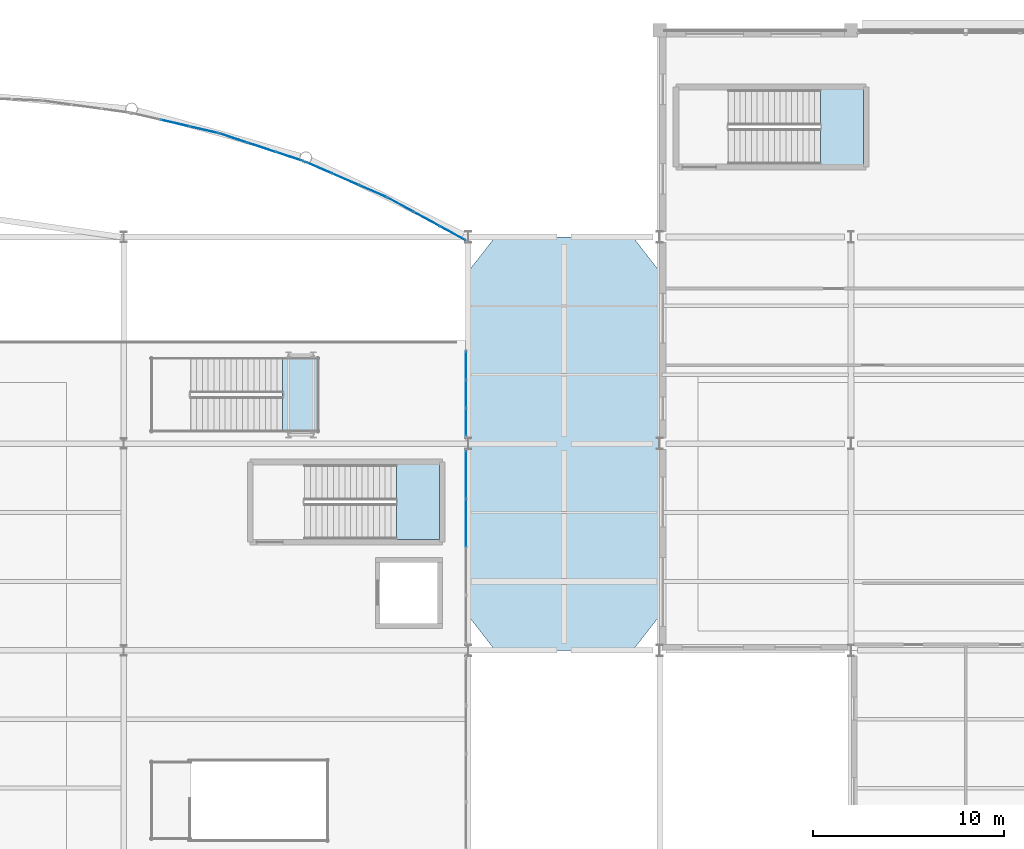
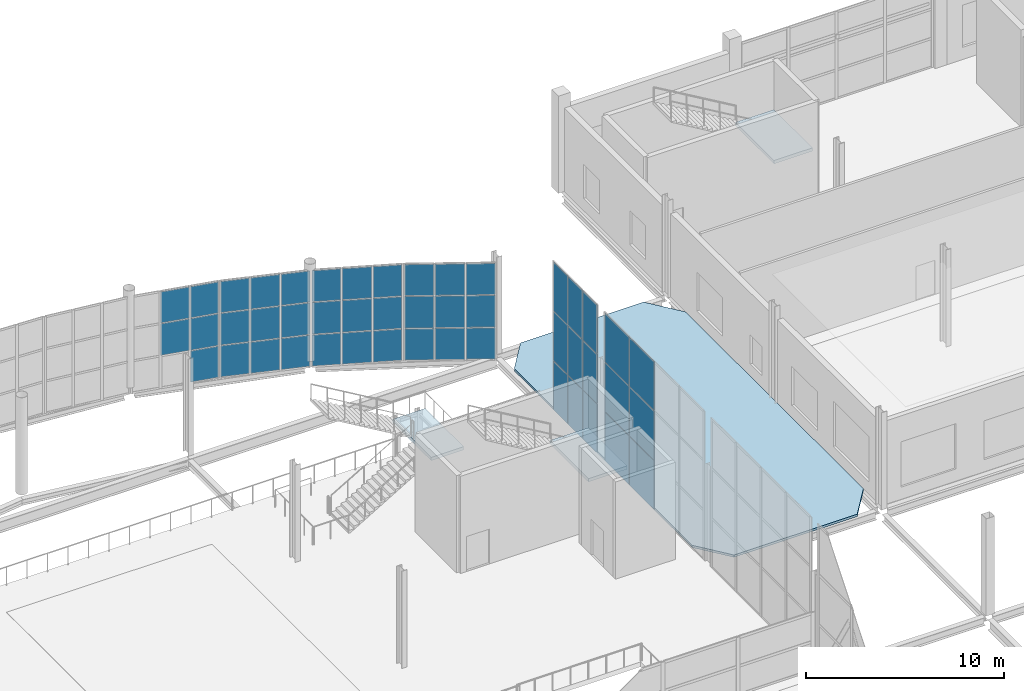
# One storey, part 156 of 191: 47 plates, 4 slabs, 9 elements without a shape of their own.
"""IFC4 building model written with IfcOpenShell, lengths in metres."""

from ifc_helpers import new_model, si_unit, direction, frame, origin, origin_2d, place, context, subcontext, project, spatial, polyline, rectangle, outline, extrude, material, layer, layer_set, type_object, element, aggregate, save


model = new_model("IFC4")

# Units and contexts
model_context = context("Model", 3, precision=1e-05, world=origin(), true_north=direction((0.0, 1.0)))
body_context = subcontext(model_context, "Body", "Model", "MODEL_VIEW")
ifc_project = project(units=[si_unit("LENGTHUNIT", "METRE"), si_unit("AREAUNIT", "SQUARE_METRE"), si_unit("VOLUMEUNIT", "CUBIC_METRE"), si_unit("PLANEANGLEUNIT", "RADIAN"), si_unit("MASSUNIT", "GRAM", prefix="KILO")], contexts=[model_context])

# Site, building, storey
site_placement = place(None, origin())
site = spatial("IfcSite", under=ifc_project, at=site_placement, CompositionType="ELEMENT")
building_placement = place(site_placement, origin())
building = spatial("IfcBuilding", under=site, at=building_placement, Name="Tamarisk Ironworks Central Station", CompositionType="ELEMENT")
storey_placement = place(building_placement, frame((0.0, 0.0, 6.60009765625)))
storey = spatial("IfcBuildingStorey", under=building, at=storey_placement, Name="L01", CompositionType="ELEMENT", Elevation=6.60009765625)

# Curtain wall, plates
ifc_material_1 = material(Name="Anodized aluminium alloy 6063-T6", Category="aluminium")
ifc_layer_1 = layer(ifc_material_1, 0.179931640625)
ifc_layer_set_1 = layer_set([ifc_layer_1], Name="Anodized aluminium alloy 6063-T6")
curtain_wall_type_1 = type_object("IfcCurtainWallType", Name="CW-08", PredefinedType="USERDEFINED", material=ifc_layer_set_1)
curtain_wall_1_placement = place(storey_placement, origin())
curtain_wall_1 = element("IfcCurtainWall", 1, at=curtain_wall_1_placement, inside=storey, type_object=curtain_wall_type_1, Name="Concourse E track-overlook curtain wall 07", ObjectType="GLAZED CURTAIN WALL", PredefinedType="USERDEFINED")
ifc_layer_2 = layer(ifc_material_1, 0.02392578125)
ifc_layer_set_2 = layer_set([ifc_layer_2], Name="Anodized aluminium alloy 6063-T6")
plate_type_1 = type_object("IfcPlateType", Name="PL-CWP24", PredefinedType="CURTAIN_PANEL", material=ifc_layer_set_2)
plate_1_placement = place(storey_placement, frame((107.8798828125, 96.66259765625, 0.0537109375), z_axis=(0.0, 0.0, 1.0), x_axis=(0.0, 1.0, 0.0)))
plate_1 = element("IfcPlate", 2, at=plate_1_placement, type_object=plate_type_1, Name="CW08 panel 3.1", PredefinedType="CURTAIN_PANEL", context=body_context, shape_type="SweptSolid", body=[
    extrude(rectangle(XDim=2.47705078125, YDim=0.02392578125, at=origin_2d()), origin(), (0.0, 0.0, 1.0), 2.995361328125),
])
plate_2_placement = place(storey_placement, frame((107.8798828125, 96.66259765625, 3.09716796875), z_axis=(0.0, 0.0, 1.0), x_axis=(0.0, 1.0, 0.0)))
plate_2 = element("IfcPlate", 3, at=plate_2_placement, type_object=plate_type_1, Name="CW08 panel 3.2", PredefinedType="CURTAIN_PANEL", context=body_context, shape_type="SweptSolid", body=[
    extrude(rectangle(XDim=2.47705078125, YDim=0.02392578125, at=origin_2d()), origin(), (0.0, 0.0, 1.0), 3.025390625),
])
plate_3_placement = place(storey_placement, frame((107.8798828125, 96.66259765625, 6.17041015625), z_axis=(0.0, 0.0, 1.0), x_axis=(0.0, 1.0, 0.0)))
plate_3 = element("IfcPlate", 4, at=plate_3_placement, type_object=plate_type_1, Name="CW08 panel 3.3", PredefinedType="CURTAIN_PANEL", context=body_context, shape_type="SweptSolid", body=[
    extrude(rectangle(XDim=2.47705078125, YDim=0.02392578125, at=origin_2d()), origin(), (0.0, 0.0, 1.0), 2.995361328125),
])
plate_4_placement = place(storey_placement, frame((107.8798828125, 99.172607421875, 0.0537109375), z_axis=(0.0, 0.0, 1.0), x_axis=(0.0, 1.0, 0.0)))
plate_4 = element("IfcPlate", 5, at=plate_4_placement, type_object=plate_type_1, Name="CW08 panel 4.1", PredefinedType="CURTAIN_PANEL", context=body_context, shape_type="SweptSolid", body=[
    extrude(rectangle(XDim=2.447021484375, YDim=0.02392578125, at=origin_2d()), origin(), (0.0, 0.0, 1.0), 2.995361328125),
])
plate_5_placement = place(storey_placement, frame((107.8798828125, 99.172607421875, 3.09716796875), z_axis=(0.0, 0.0, 1.0), x_axis=(0.0, 1.0, 0.0)))
plate_5 = element("IfcPlate", 6, at=plate_5_placement, type_object=plate_type_1, Name="CW08 panel 4.2", PredefinedType="CURTAIN_PANEL", context=body_context, shape_type="SweptSolid", body=[
    extrude(rectangle(XDim=2.447021484375, YDim=0.02392578125, at=origin_2d()), origin(), (0.0, 0.0, 1.0), 3.025390625),
])
plate_6_placement = place(storey_placement, frame((107.8798828125, 99.172607421875, 6.17041015625), z_axis=(0.0, 0.0, 1.0), x_axis=(0.0, 1.0, 0.0)))
plate_6 = element("IfcPlate", 7, at=plate_6_placement, type_object=plate_type_1, Name="CW08 panel 4.3", PredefinedType="CURTAIN_PANEL", context=body_context, shape_type="SweptSolid", body=[
    extrude(rectangle(XDim=2.447021484375, YDim=0.02392578125, at=origin_2d()), origin(), (0.0, 0.0, 1.0), 2.995361328125),
])
aggregate(curtain_wall_1, [plate_1, plate_2, plate_3, plate_4, plate_5, plate_6])

ifc_layer_3 = layer(ifc_material_1, 0.179931640625)
ifc_layer_set_3 = layer_set([ifc_layer_3], Name="Anodized aluminium alloy 6063-T6")
curtain_wall_type_2 = type_object("IfcCurtainWallType", Name="CW-02", PredefinedType="USERDEFINED", material=ifc_layer_set_3)
curtain_wall_2_placement = place(storey_placement, origin())
curtain_wall_2 = element("IfcCurtainWall", 8, at=curtain_wall_2_placement, inside=storey, type_object=curtain_wall_type_2, Name="NN rounded entrance hall L01 curtain wall bay 09", ObjectType="GLAZED CURTAIN WALL", PredefinedType="USERDEFINED")
ifc_material_2 = material(Name="Laminated solar-control low-E glass", Category="glass")
ifc_layer_4 = layer(ifc_material_2, 0.028076171875)
ifc_layer_set_4 = layer_set([ifc_layer_4], Name="Laminated solar-control low-E glass")
plate_type_2 = type_object("IfcPlateType", Name="PL-CWP28", PredefinedType="CURTAIN_PANEL", material=ifc_layer_set_4)
plate_7_placement = place(storey_placement, frame((92.664794921875, 117.552978515625, 1.640625), z_axis=(0.0, 0.0, 1.0), x_axis=(0.974239240545, -0.225516966506, 0.0)))
plate_7 = element("IfcPlate", 9, at=plate_7_placement, type_object=plate_type_2, Name="CW02 panel 2.2", PredefinedType="CURTAIN_PANEL", context=body_context, shape_type="SweptSolid", body=[
    extrude(rectangle(XDim=1.52197265625, YDim=0.028076171875, at=origin_2d()), origin(), (0.0, 0.0, 1.0), 1.95361328125),
])
plate_8_placement = place(storey_placement, frame((92.664794921875, 117.552978515625, 3.64208984375), z_axis=(0.0, 0.0, 1.0), x_axis=(0.974239240545, -0.225516966506, 0.0)))
plate_8 = element("IfcPlate", 10, at=plate_8_placement, type_object=plate_type_2, Name="CW02 panel 2.3", PredefinedType="CURTAIN_PANEL", context=body_context, shape_type="SweptSolid", body=[
    extrude(rectangle(XDim=1.52197265625, YDim=0.028076171875, at=origin_2d()), origin(), (0.0, 0.0, 1.0), 1.923583984375),
])
plate_9_placement = place(storey_placement, frame((94.1796875, 117.202392578125, -0.3310546875), z_axis=(0.0, 0.0, 1.0), x_axis=(0.974239240545, -0.225516966506, 0.0)))
plate_9 = element("IfcPlate", 11, at=plate_9_placement, type_object=plate_type_2, Name="CW02 panel 3.1", PredefinedType="CURTAIN_PANEL", context=body_context, shape_type="SweptSolid", body=[
    extrude(rectangle(XDim=1.491943359375, YDim=0.028076171875, at=origin_2d()), origin(), (0.0, 0.0, 1.0), 1.923583984375),
])
plate_10_placement = place(storey_placement, frame((94.1796875, 117.202392578125, 1.640625), z_axis=(0.0, 0.0, 1.0), x_axis=(0.974239240545, -0.225516966506, 0.0)))
plate_10 = element("IfcPlate", 12, at=plate_10_placement, type_object=plate_type_2, Name="CW02 panel 3.2", PredefinedType="CURTAIN_PANEL", context=body_context, shape_type="SweptSolid", body=[
    extrude(rectangle(XDim=1.491943359375, YDim=0.028076171875, at=origin_2d()), origin(), (0.0, 0.0, 1.0), 1.95361328125),
])
plate_11_placement = place(storey_placement, frame((94.1796875, 117.202392578125, 3.64208984375), z_axis=(0.0, 0.0, 1.0), x_axis=(0.974239240545, -0.225516966506, 0.0)))
plate_11 = element("IfcPlate", 13, at=plate_11_placement, type_object=plate_type_2, Name="CW02 panel 3.3", PredefinedType="CURTAIN_PANEL", context=body_context, shape_type="SweptSolid", body=[
    extrude(rectangle(XDim=1.491943359375, YDim=0.028076171875, at=origin_2d()), origin(), (0.0, 0.0, 1.0), 1.923583984375),
])
aggregate(curtain_wall_2, [plate_7, plate_8, plate_9, plate_10, plate_11])

curtain_wall_3_placement = place(storey_placement, origin())
curtain_wall_3 = element("IfcCurtainWall", 14, at=curtain_wall_3_placement, inside=storey, type_object=curtain_wall_type_2, Name="NN rounded entrance hall L01 curtain wall bay 10", ObjectType="GLAZED CURTAIN WALL", PredefinedType="USERDEFINED")
plate_12_placement = place(storey_placement, frame((95.71875, 116.771484375, -0.3310546875), z_axis=(0.0, 0.0, 1.0), x_axis=(0.949720671692, -0.313098460171, 0.0)))
plate_12 = element("IfcPlate", 15, at=plate_12_placement, type_object=plate_type_2, Name="CW02 panel 1.1", PredefinedType="CURTAIN_PANEL", context=body_context, shape_type="SweptSolid", body=[
    extrude(rectangle(XDim=1.491943359375, YDim=0.028076171875, at=origin_2d()), origin(), (0.0, 0.0, 1.0), 1.923583984375),
])
plate_13_placement = place(storey_placement, frame((95.71875, 116.771484375, 1.640625), z_axis=(0.0, 0.0, 1.0), x_axis=(0.949720671692, -0.313098460171, 0.0)))
plate_13 = element("IfcPlate", 16, at=plate_13_placement, type_object=plate_type_2, Name="CW02 panel 1.2", PredefinedType="CURTAIN_PANEL", context=body_context, shape_type="SweptSolid", body=[
    extrude(rectangle(XDim=1.491943359375, YDim=0.028076171875, at=origin_2d()), origin(), (0.0, 0.0, 1.0), 1.95361328125),
])
plate_14_placement = place(storey_placement, frame((95.71875, 116.771484375, 3.64208984375), z_axis=(0.0, 0.0, 1.0), x_axis=(0.949720671692, -0.313098460171, 0.0)))
plate_14 = element("IfcPlate", 17, at=plate_14_placement, type_object=plate_type_2, Name="CW02 panel 1.3", PredefinedType="CURTAIN_PANEL", context=body_context, shape_type="SweptSolid", body=[
    extrude(rectangle(XDim=1.491943359375, YDim=0.028076171875, at=origin_2d()), origin(), (0.0, 0.0, 1.0), 1.923583984375),
])
plate_15_placement = place(storey_placement, frame((97.1953125, 116.28466796875, -0.3310546875), z_axis=(0.0, 0.0, 1.0), x_axis=(0.949720671692, -0.313098460171, 0.0)))
plate_15 = element("IfcPlate", 18, at=plate_15_placement, type_object=plate_type_2, Name="CW02 panel 2.1", PredefinedType="CURTAIN_PANEL", context=body_context, shape_type="SweptSolid", body=[
    extrude(rectangle(XDim=1.52197265625, YDim=0.028076171875, at=origin_2d()), origin(), (0.0, 0.0, 1.0), 1.923583984375),
])
plate_16_placement = place(storey_placement, frame((97.1953125, 116.28466796875, 1.640625), z_axis=(0.0, 0.0, 1.0), x_axis=(0.949720671692, -0.313098460171, 0.0)))
plate_16 = element("IfcPlate", 19, at=plate_16_placement, type_object=plate_type_2, Name="CW02 panel 2.2", PredefinedType="CURTAIN_PANEL", context=body_context, shape_type="SweptSolid", body=[
    extrude(rectangle(XDim=1.52197265625, YDim=0.028076171875, at=origin_2d()), origin(), (0.0, 0.0, 1.0), 1.95361328125),
])
plate_17_placement = place(storey_placement, frame((97.1953125, 116.28466796875, 3.64208984375), z_axis=(0.0, 0.0, 1.0), x_axis=(0.949720671692, -0.313098460171, 0.0)))
plate_17 = element("IfcPlate", 20, at=plate_17_placement, type_object=plate_type_2, Name="CW02 panel 2.3", PredefinedType="CURTAIN_PANEL", context=body_context, shape_type="SweptSolid", body=[
    extrude(rectangle(XDim=1.52197265625, YDim=0.028076171875, at=origin_2d()), origin(), (0.0, 0.0, 1.0), 1.923583984375),
])
plate_18_placement = place(storey_placement, frame((98.672119140625, 115.7978515625, -0.3310546875), z_axis=(0.0, 0.0, 1.0), x_axis=(0.949720671692, -0.313098460171, 0.0)))
plate_18 = element("IfcPlate", 21, at=plate_18_placement, type_object=plate_type_2, Name="CW02 panel 3.1", PredefinedType="CURTAIN_PANEL", context=body_context, shape_type="SweptSolid", body=[
    extrude(rectangle(XDim=1.491943359375, YDim=0.028076171875, at=origin_2d()), origin(), (0.0, 0.0, 1.0), 1.923583984375),
])
plate_19_placement = place(storey_placement, frame((98.672119140625, 115.7978515625, 1.640625), z_axis=(0.0, 0.0, 1.0), x_axis=(0.949720671692, -0.313098460171, 0.0)))
plate_19 = element("IfcPlate", 22, at=plate_19_placement, type_object=plate_type_2, Name="CW02 panel 3.2", PredefinedType="CURTAIN_PANEL", context=body_context, shape_type="SweptSolid", body=[
    extrude(rectangle(XDim=1.491943359375, YDim=0.028076171875, at=origin_2d()), origin(), (0.0, 0.0, 1.0), 1.95361328125),
])
plate_20_placement = place(storey_placement, frame((98.672119140625, 115.7978515625, 3.64208984375), z_axis=(0.0, 0.0, 1.0), x_axis=(0.949720671692, -0.313098460171, 0.0)))
plate_20 = element("IfcPlate", 23, at=plate_20_placement, type_object=plate_type_2, Name="CW02 panel 3.3", PredefinedType="CURTAIN_PANEL", context=body_context, shape_type="SweptSolid", body=[
    extrude(rectangle(XDim=1.491943359375, YDim=0.028076171875, at=origin_2d()), origin(), (0.0, 0.0, 1.0), 1.923583984375),
])
aggregate(curtain_wall_3, [plate_12, plate_13, plate_14, plate_15, plate_16, plate_17, plate_18, plate_19, plate_20])

curtain_wall_4_placement = place(storey_placement, origin())
curtain_wall_4 = element("IfcCurtainWall", 24, at=curtain_wall_4_placement, inside=storey, type_object=curtain_wall_type_2, Name="NN rounded entrance hall L01 curtain wall bay 11", ObjectType="GLAZED CURTAIN WALL", PredefinedType="USERDEFINED")
plate_21_placement = place(storey_placement, frame((100.16552734375, 115.22900390625, -0.3310546875), z_axis=(0.0, 0.0, 1.0), x_axis=(0.917352033503, -0.398076935564, 0.0)))
plate_21 = element("IfcPlate", 25, at=plate_21_placement, type_object=plate_type_2, Name="CW02 panel 1.1", PredefinedType="CURTAIN_PANEL", context=body_context, shape_type="SweptSolid", body=[
    extrude(rectangle(XDim=1.491943359375, YDim=0.028076171875, at=origin_2d()), origin(), (0.0, 0.0, 1.0), 1.923583984375),
])
plate_22_placement = place(storey_placement, frame((100.16552734375, 115.22900390625, 1.640625), z_axis=(0.0, 0.0, 1.0), x_axis=(0.917352033503, -0.398076935564, 0.0)))
plate_22 = element("IfcPlate", 26, at=plate_22_placement, type_object=plate_type_2, Name="CW02 panel 1.2", PredefinedType="CURTAIN_PANEL", context=body_context, shape_type="SweptSolid", body=[
    extrude(rectangle(XDim=1.491943359375, YDim=0.028076171875, at=origin_2d()), origin(), (0.0, 0.0, 1.0), 1.95361328125),
])
plate_23_placement = place(storey_placement, frame((100.16552734375, 115.22900390625, 3.64208984375), z_axis=(0.0, 0.0, 1.0), x_axis=(0.917352033503, -0.398076935564, 0.0)))
plate_23 = element("IfcPlate", 27, at=plate_23_placement, type_object=plate_type_2, Name="CW02 panel 1.3", PredefinedType="CURTAIN_PANEL", context=body_context, shape_type="SweptSolid", body=[
    extrude(rectangle(XDim=1.491943359375, YDim=0.028076171875, at=origin_2d()), origin(), (0.0, 0.0, 1.0), 1.923583984375),
])
plate_24_placement = place(storey_placement, frame((101.592041015625, 114.610107421875, -0.3310546875), z_axis=(0.0, 0.0, 1.0), x_axis=(0.917352033503, -0.398076935564, 0.0)))
plate_24 = element("IfcPlate", 28, at=plate_24_placement, type_object=plate_type_2, Name="CW02 panel 2.1", PredefinedType="CURTAIN_PANEL", context=body_context, shape_type="SweptSolid", body=[
    extrude(rectangle(XDim=1.52197265625, YDim=0.028076171875, at=origin_2d()), origin(), (0.0, 0.0, 1.0), 1.923583984375),
])
plate_25_placement = place(storey_placement, frame((101.592041015625, 114.610107421875, 1.640625), z_axis=(0.0, 0.0, 1.0), x_axis=(0.917352033503, -0.398076935564, 0.0)))
plate_25 = element("IfcPlate", 29, at=plate_25_placement, type_object=plate_type_2, Name="CW02 panel 2.2", PredefinedType="CURTAIN_PANEL", context=body_context, shape_type="SweptSolid", body=[
    extrude(rectangle(XDim=1.52197265625, YDim=0.028076171875, at=origin_2d()), origin(), (0.0, 0.0, 1.0), 1.95361328125),
])
plate_26_placement = place(storey_placement, frame((101.592041015625, 114.610107421875, 3.64208984375), z_axis=(0.0, 0.0, 1.0), x_axis=(0.917352033503, -0.398076935564, 0.0)))
plate_26 = element("IfcPlate", 30, at=plate_26_placement, type_object=plate_type_2, Name="CW02 panel 2.3", PredefinedType="CURTAIN_PANEL", context=body_context, shape_type="SweptSolid", body=[
    extrude(rectangle(XDim=1.52197265625, YDim=0.028076171875, at=origin_2d()), origin(), (0.0, 0.0, 1.0), 1.923583984375),
])
plate_27_placement = place(storey_placement, frame((103.018310546875, 113.990966796875, -0.3310546875), z_axis=(0.0, 0.0, 1.0), x_axis=(0.917352033503, -0.398076935564, 0.0)))
plate_27 = element("IfcPlate", 31, at=plate_27_placement, type_object=plate_type_2, Name="CW02 panel 3.1", PredefinedType="CURTAIN_PANEL", context=body_context, shape_type="SweptSolid", body=[
    extrude(rectangle(XDim=1.491943359375, YDim=0.028076171875, at=origin_2d()), origin(), (0.0, 0.0, 1.0), 1.923583984375),
])
plate_28_placement = place(storey_placement, frame((103.018310546875, 113.990966796875, 1.640625), z_axis=(0.0, 0.0, 1.0), x_axis=(0.917352033503, -0.398076935564, 0.0)))
plate_28 = element("IfcPlate", 32, at=plate_28_placement, type_object=plate_type_2, Name="CW02 panel 3.2", PredefinedType="CURTAIN_PANEL", context=body_context, shape_type="SweptSolid", body=[
    extrude(rectangle(XDim=1.491943359375, YDim=0.028076171875, at=origin_2d()), origin(), (0.0, 0.0, 1.0), 1.95361328125),
])
plate_29_placement = place(storey_placement, frame((103.018310546875, 113.990966796875, 3.64208984375), z_axis=(0.0, 0.0, 1.0), x_axis=(0.917352033503, -0.398076935564, 0.0)))
plate_29 = element("IfcPlate", 33, at=plate_29_placement, type_object=plate_type_2, Name="CW02 panel 3.3", PredefinedType="CURTAIN_PANEL", context=body_context, shape_type="SweptSolid", body=[
    extrude(rectangle(XDim=1.491943359375, YDim=0.028076171875, at=origin_2d()), origin(), (0.0, 0.0, 1.0), 1.923583984375),
])
aggregate(curtain_wall_4, [plate_21, plate_22, plate_23, plate_24, plate_25, plate_26, plate_27, plate_28, plate_29])

curtain_wall_5_placement = place(storey_placement, origin())
curtain_wall_5 = element("IfcCurtainWall", 34, at=curtain_wall_5_placement, inside=storey, type_object=curtain_wall_type_2, Name="NN rounded entrance hall L01 curtain wall bay 12", ObjectType="GLAZED CURTAIN WALL", PredefinedType="USERDEFINED")
plate_30_placement = place(storey_placement, frame((104.4541015625, 113.288818359375, -0.3310546875), z_axis=(0.0, 0.0, 1.0), x_axis=(0.877374910495, -0.47980544644, 0.0)))
plate_30 = element("IfcPlate", 35, at=plate_30_placement, type_object=plate_type_2, Name="CW02 panel 1.1", PredefinedType="CURTAIN_PANEL", context=body_context, shape_type="SweptSolid", body=[
    extrude(rectangle(XDim=1.491943359375, YDim=0.028076171875, at=origin_2d()), origin(), (0.0, 0.0, 1.0), 1.923583984375),
])
plate_31_placement = place(storey_placement, frame((104.4541015625, 113.288818359375, 1.640625), z_axis=(0.0, 0.0, 1.0), x_axis=(0.877374910495, -0.47980544644, 0.0)))
plate_31 = element("IfcPlate", 36, at=plate_31_placement, type_object=plate_type_2, Name="CW02 panel 1.2", PredefinedType="CURTAIN_PANEL", context=body_context, shape_type="SweptSolid", body=[
    extrude(rectangle(XDim=1.491943359375, YDim=0.028076171875, at=origin_2d()), origin(), (0.0, 0.0, 1.0), 1.95361328125),
])
plate_32_placement = place(storey_placement, frame((104.4541015625, 113.288818359375, 3.64208984375), z_axis=(0.0, 0.0, 1.0), x_axis=(0.877374910495, -0.47980544644, 0.0)))
plate_32 = element("IfcPlate", 37, at=plate_32_placement, type_object=plate_type_2, Name="CW02 panel 1.3", PredefinedType="CURTAIN_PANEL", context=body_context, shape_type="SweptSolid", body=[
    extrude(rectangle(XDim=1.491943359375, YDim=0.028076171875, at=origin_2d()), origin(), (0.0, 0.0, 1.0), 1.923583984375),
])
plate_33_placement = place(storey_placement, frame((105.818359375, 112.542724609375, -0.3310546875), z_axis=(0.0, 0.0, 1.0), x_axis=(0.877374910495, -0.47980544644, 0.0)))
plate_33 = element("IfcPlate", 38, at=plate_33_placement, type_object=plate_type_2, Name="CW02 panel 2.1", PredefinedType="CURTAIN_PANEL", context=body_context, shape_type="SweptSolid", body=[
    extrude(rectangle(XDim=1.52197265625, YDim=0.028076171875, at=origin_2d()), origin(), (0.0, 0.0, 1.0), 1.923583984375),
])
plate_34_placement = place(storey_placement, frame((105.818359375, 112.542724609375, 1.640625), z_axis=(0.0, 0.0, 1.0), x_axis=(0.877374910495, -0.47980544644, 0.0)))
plate_34 = element("IfcPlate", 39, at=plate_34_placement, type_object=plate_type_2, Name="CW02 panel 2.2", PredefinedType="CURTAIN_PANEL", context=body_context, shape_type="SweptSolid", body=[
    extrude(rectangle(XDim=1.52197265625, YDim=0.028076171875, at=origin_2d()), origin(), (0.0, 0.0, 1.0), 1.95361328125),
])
plate_35_placement = place(storey_placement, frame((105.818359375, 112.542724609375, 3.64208984375), z_axis=(0.0, 0.0, 1.0), x_axis=(0.877374910495, -0.47980544644, 0.0)))
plate_35 = element("IfcPlate", 40, at=plate_35_placement, type_object=plate_type_2, Name="CW02 panel 2.3", PredefinedType="CURTAIN_PANEL", context=body_context, shape_type="SweptSolid", body=[
    extrude(rectangle(XDim=1.52197265625, YDim=0.028076171875, at=origin_2d()), origin(), (0.0, 0.0, 1.0), 1.923583984375),
])
plate_36_placement = place(storey_placement, frame((107.182373046875, 111.796630859375, -0.3310546875), z_axis=(0.0, 0.0, 1.0), x_axis=(0.877374910495, -0.47980544644, 0.0)))
plate_36 = element("IfcPlate", 41, at=plate_36_placement, type_object=plate_type_2, Name="CW02 panel 3.1", PredefinedType="CURTAIN_PANEL", context=body_context, shape_type="SweptSolid", body=[
    extrude(rectangle(XDim=1.491943359375, YDim=0.028076171875, at=origin_2d()), origin(), (0.0, 0.0, 1.0), 1.923583984375),
])
plate_37_placement = place(storey_placement, frame((107.182373046875, 111.796630859375, 1.640625), z_axis=(0.0, 0.0, 1.0), x_axis=(0.877374910495, -0.47980544644, 0.0)))
plate_37 = element("IfcPlate", 42, at=plate_37_placement, type_object=plate_type_2, Name="CW02 panel 3.2", PredefinedType="CURTAIN_PANEL", context=body_context, shape_type="SweptSolid", body=[
    extrude(rectangle(XDim=1.491943359375, YDim=0.028076171875, at=origin_2d()), origin(), (0.0, 0.0, 1.0), 1.95361328125),
])
plate_38_placement = place(storey_placement, frame((107.182373046875, 111.796630859375, 3.64208984375), z_axis=(0.0, 0.0, 1.0), x_axis=(0.877374910495, -0.47980544644, 0.0)))
plate_38 = element("IfcPlate", 43, at=plate_38_placement, type_object=plate_type_2, Name="CW02 panel 3.3", PredefinedType="CURTAIN_PANEL", context=body_context, shape_type="SweptSolid", body=[
    extrude(rectangle(XDim=1.491943359375, YDim=0.028076171875, at=origin_2d()), origin(), (0.0, 0.0, 1.0), 1.923583984375),
])
aggregate(curtain_wall_5, [plate_30, plate_31, plate_32, plate_33, plate_34, plate_35, plate_36, plate_37, plate_38])

ifc_layer_5 = layer(ifc_material_1, 0.179931640625)
ifc_layer_set_5 = layer_set([ifc_layer_5], Name="Anodized aluminium alloy 6063-T6")
curtain_wall_type_3 = type_object("IfcCurtainWallType", Name="CW-05", PredefinedType="USERDEFINED", material=ifc_layer_set_5)
curtain_wall_6_placement = place(storey_placement, origin())
curtain_wall_6 = element("IfcCurtainWall", 44, at=curtain_wall_6_placement, inside=storey, type_object=curtain_wall_type_3, Name="Concourse E track-overlook curtain wall 08", ObjectType="GLAZED CURTAIN WALL", PredefinedType="USERDEFINED")
plate_39_placement = place(storey_placement, frame((107.8798828125, 101.9150390625, 0.0537109375), z_axis=(0.0, 0.0, 1.0), x_axis=(0.0, 1.0, 0.0)))
plate_39 = element("IfcPlate", 45, at=plate_39_placement, type_object=plate_type_2, Name="CW05 panel 1.1", PredefinedType="CURTAIN_PANEL", context=body_context, shape_type="SweptSolid", body=[
    extrude(rectangle(XDim=1.422119140625, YDim=0.028076171875, at=origin_2d()), origin(), (0.0, 0.0, 1.0), 2.995361328125),
])
plate_40_placement = place(storey_placement, frame((107.8798828125, 101.9150390625, 3.09716796875), z_axis=(0.0, 0.0, 1.0), x_axis=(0.0, 1.0, 0.0)))
plate_40 = element("IfcPlate", 46, at=plate_40_placement, type_object=plate_type_2, Name="CW05 panel 1.2", PredefinedType="CURTAIN_PANEL", context=body_context, shape_type="SweptSolid", body=[
    extrude(rectangle(XDim=1.422119140625, YDim=0.028076171875, at=origin_2d()), origin(), (0.0, 0.0, 1.0), 3.025390625),
])
plate_41_placement = place(storey_placement, frame((107.8798828125, 101.9150390625, 6.17041015625), z_axis=(0.0, 0.0, 1.0), x_axis=(0.0, 1.0, 0.0)))
plate_41 = element("IfcPlate", 47, at=plate_41_placement, type_object=plate_type_2, Name="CW05 panel 1.3", PredefinedType="CURTAIN_PANEL", context=body_context, shape_type="SweptSolid", body=[
    extrude(rectangle(XDim=1.422119140625, YDim=0.028076171875, at=origin_2d()), origin(), (0.0, 0.0, 1.0), 2.995361328125),
])
plate_42_placement = place(storey_placement, frame((107.8798828125, 103.39990234375, 0.0537109375), z_axis=(0.0, 0.0, 1.0), x_axis=(0.0, 1.0, 0.0)))
plate_42 = element("IfcPlate", 48, at=plate_42_placement, type_object=plate_type_2, Name="CW05 panel 2.1", PredefinedType="CURTAIN_PANEL", context=body_context, shape_type="SweptSolid", body=[
    extrude(rectangle(XDim=1.451904296875, YDim=0.028076171875, at=origin_2d()), origin(), (0.0, 0.0, 1.0), 2.995361328125),
])
plate_43_placement = place(storey_placement, frame((107.8798828125, 103.39990234375, 3.09716796875), z_axis=(0.0, 0.0, 1.0), x_axis=(0.0, 1.0, 0.0)))
plate_43 = element("IfcPlate", 49, at=plate_43_placement, type_object=plate_type_2, Name="CW05 panel 2.2", PredefinedType="CURTAIN_PANEL", context=body_context, shape_type="SweptSolid", body=[
    extrude(rectangle(XDim=1.451904296875, YDim=0.028076171875, at=origin_2d()), origin(), (0.0, 0.0, 1.0), 3.025390625),
])
plate_44_placement = place(storey_placement, frame((107.8798828125, 103.39990234375, 6.17041015625), z_axis=(0.0, 0.0, 1.0), x_axis=(0.0, 1.0, 0.0)))
plate_44 = element("IfcPlate", 50, at=plate_44_placement, type_object=plate_type_2, Name="CW05 panel 2.3", PredefinedType="CURTAIN_PANEL", context=body_context, shape_type="SweptSolid", body=[
    extrude(rectangle(XDim=1.451904296875, YDim=0.028076171875, at=origin_2d()), origin(), (0.0, 0.0, 1.0), 2.995361328125),
])
plate_45_placement = place(storey_placement, frame((107.8798828125, 104.885009765625, 0.0537109375), z_axis=(0.0, 0.0, 1.0), x_axis=(0.0, 1.0, 0.0)))
plate_45 = element("IfcPlate", 51, at=plate_45_placement, type_object=plate_type_2, Name="CW05 panel 3.1", PredefinedType="CURTAIN_PANEL", context=body_context, shape_type="SweptSolid", body=[
    extrude(rectangle(XDim=1.422119140625, YDim=0.028076171875, at=origin_2d()), origin(), (0.0, 0.0, 1.0), 2.995361328125),
])
plate_46_placement = place(storey_placement, frame((107.8798828125, 104.885009765625, 3.09716796875), z_axis=(0.0, 0.0, 1.0), x_axis=(0.0, 1.0, 0.0)))
plate_46 = element("IfcPlate", 52, at=plate_46_placement, type_object=plate_type_2, Name="CW05 panel 3.2", PredefinedType="CURTAIN_PANEL", context=body_context, shape_type="SweptSolid", body=[
    extrude(rectangle(XDim=1.422119140625, YDim=0.028076171875, at=origin_2d()), origin(), (0.0, 0.0, 1.0), 3.025390625),
])
plate_47_placement = place(storey_placement, frame((107.8798828125, 104.885009765625, 6.17041015625), z_axis=(0.0, 0.0, 1.0), x_axis=(0.0, 1.0, 0.0)))
plate_47 = element("IfcPlate", 53, at=plate_47_placement, type_object=plate_type_2, Name="CW05 panel 3.3", PredefinedType="CURTAIN_PANEL", context=body_context, shape_type="SweptSolid", body=[
    extrude(rectangle(XDim=1.422119140625, YDim=0.028076171875, at=origin_2d()), origin(), (0.0, 0.0, 1.0), 2.995361328125),
])
aggregate(curtain_wall_6, [plate_39, plate_40, plate_41, plate_42, plate_43, plate_44, plate_45, plate_46, plate_47])

# Slab
ifc_material_3 = material(Name="Precast concrete C45/55", Category="concrete")
ifc_layer_6 = layer(ifc_material_3, 0.139892578125)
ifc_layer_set_6 = layer_set([ifc_layer_6], Name="Precast concrete C45/55")
slab_type_1 = type_object("IfcSlabType", Name="SL-CN140", PredefinedType="ROOF", material=ifc_layer_set_6)
slab_1_placement = place(storey_placement, frame((0.0, 0.0, -0.14013671875)))
element("IfcSlab", 54, at=slab_1_placement, inside=storey, type_object=slab_type_1, Name="Forecourt Canopy Roof Slab CN-EAST", PredefinedType="ROOF", context=body_context, shape_type="SweptSolid", body=[
    extrude(outline(polyline([(109.39990234375, 90.0), (116.60009765625, 90.0), (118.0, 91.800048828125), (118.0, 109.800048828125), (116.60009765625, 111.60009765625), (109.39990234375, 111.60009765625), (108.0, 109.800048828125), (108.0, 91.800048828125), (109.39990234375, 90.0)])), origin(), (0.0, 0.0, 1.0), 0.14013671875),
])

# Stair, slab
ifc_material_4 = material(Name="Concrete C35/45", Category="concrete")
stair_type_1 = type_object("IfcStairType", Name="ST-MEZZ", PredefinedType="HALF_TURN_STAIR", material=ifc_material_4)
stair_1_placement = place(storey_placement, origin())
stair_1 = element("IfcStair", 55, at=stair_1_placement, inside=storey, type_object=stair_type_1, Name="L01 East Mezzanine Overlook Stair", PredefinedType="HALF_TURN_STAIR")
ifc_layer_7 = layer(ifc_material_4, 0.179931640625)
ifc_layer_set_7 = layer_set([ifc_layer_7], Name="Concrete C35/45")
slab_type_2 = type_object("IfcSlabType", Name="SL-LD180", PredefinedType="LANDING", material=ifc_layer_set_7)
slab_2_placement = place(storey_placement, frame((0.0, 0.0, 2.7998046875)))
slab_2 = element("IfcSlab", 56, at=slab_2_placement, type_object=slab_type_2, Name="ST-MZ2 landing 1", PredefinedType="LANDING", context=body_context, shape_type="SweptSolid", body=[
    extrude(outline(polyline([(98.300048828125, 101.39990234375), (100.199951171875, 101.39990234375), (100.199951171875, 105.300048828125), (98.300048828125, 105.300048828125), (98.300048828125, 101.39990234375)])), origin(), (0.0, 0.0, 1.0), 0.2001953125),
])
aggregate(stair_1, [slab_2])

stair_type_2 = type_object("IfcStairType", Name="ST-CORE-C", PredefinedType="HALF_TURN_STAIR", material=ifc_material_4)
stair_2_placement = place(storey_placement, origin())
stair_2 = element("IfcStair", 57, at=stair_2_placement, inside=storey, type_object=stair_type_2, Name="L01 Courtyard Exit Stair Core 5", PredefinedType="HALF_TURN_STAIR")
ifc_layer_8 = layer(ifc_material_4, 0.215087890625)
ifc_layer_set_8 = layer_set([ifc_layer_8], Name="Concrete C35/45")
slab_type_3 = type_object("IfcSlabType", Name="SL-LD220", PredefinedType="LANDING", material=ifc_layer_set_8)
slab_3_placement = place(storey_placement, frame((0.0, 0.0, 2.7998046875)))
slab_3 = element("IfcSlab", 58, at=slab_3_placement, type_object=slab_type_3, Name="ST-C5 landing 1", PredefinedType="LANDING", context=body_context, shape_type="SweptSolid", body=[
    extrude(outline(polyline([(126.39990234375, 115.39990234375), (128.64990234375, 115.39990234375), (128.64990234375, 119.300048828125), (126.39990234375, 119.300048828125), (126.39990234375, 115.39990234375)])), origin(), (0.0, 0.0, 1.0), 0.2001953125),
])
aggregate(stair_2, [slab_3])

stair_type_3 = type_object("IfcStairType", Name="ST-CORE-B", PredefinedType="HALF_TURN_STAIR", material=ifc_material_4)
stair_3_placement = place(storey_placement, origin())
stair_3 = element("IfcStair", 59, at=stair_3_placement, inside=storey, type_object=stair_type_3, Name="L01 East Concourse Exit Stair Core 4", PredefinedType="HALF_TURN_STAIR")
slab_4_placement = place(storey_placement, frame((0.0, 0.0, 2.7998046875)))
slab_4 = element("IfcSlab", 60, at=slab_4_placement, type_object=slab_type_3, Name="ST-C4 landing 1", PredefinedType="LANDING", context=body_context, shape_type="SweptSolid", body=[
    extrude(outline(polyline([(104.25, 95.800048828125), (106.5, 95.800048828125), (106.5, 99.699951171875), (104.25, 99.699951171875), (104.25, 95.800048828125)])), origin(), (0.0, 0.0, 1.0), 0.2001953125),
])
aggregate(stair_3, [slab_4])

save(model, "model.ifc")
